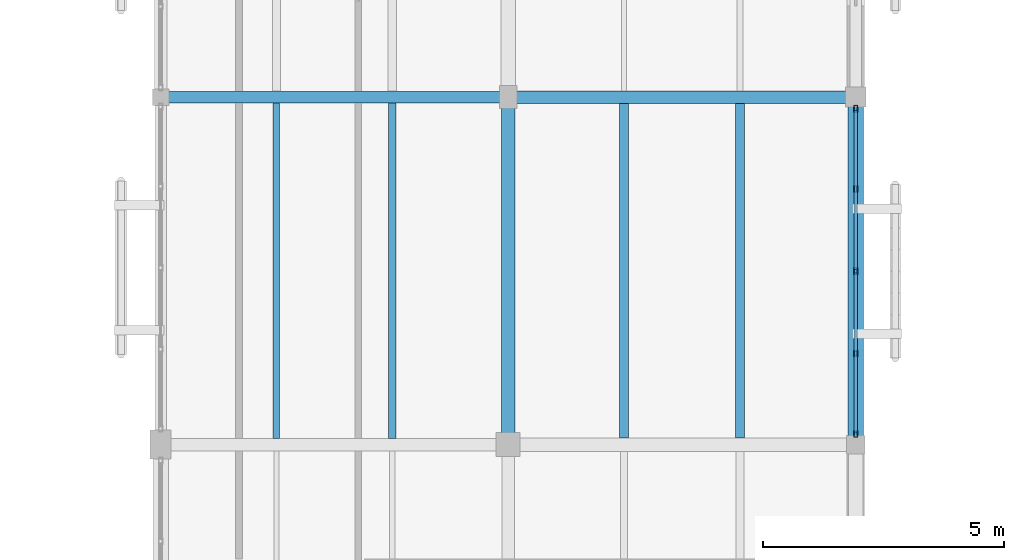
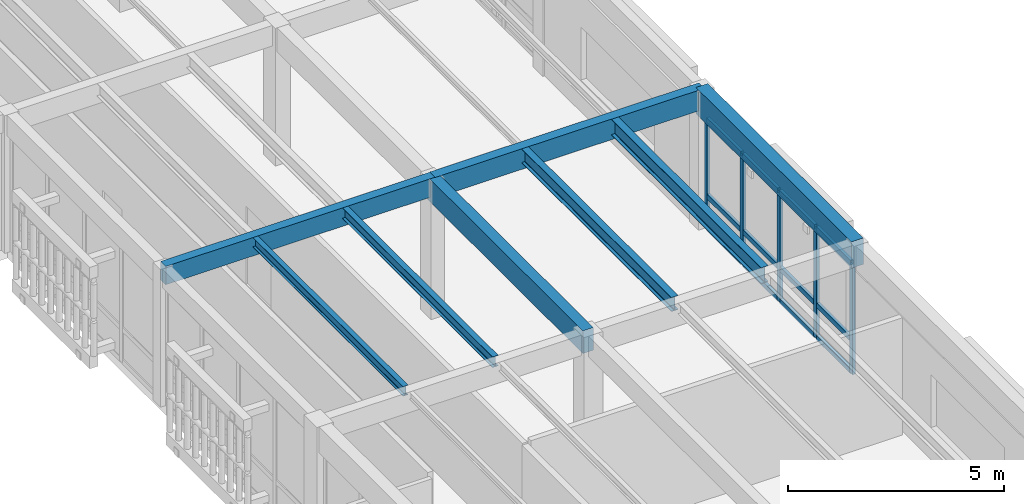
# One storey, part 38 of 217: 17 members, 8 beams, 1 element without a shape of its own.
"""IFC4 building model written with IfcOpenShell, lengths in metres."""

from ifc_helpers import new_model, si_unit, direction, frame, origin, origin_2d, place, context, subcontext, project, spatial, rectangle, hollow_rectangle, i_section, extrude, material, layer, layer_set, material_profile, profile_set, type_object, element, aggregate, save


model = new_model("IFC4")

# Units and contexts
model_context = context("Model", 3, precision=1e-05, world=origin(), true_north=direction((0.0, 1.0)))
body_context = subcontext(model_context, "Body", "Model", "MODEL_VIEW")
ifc_project = project(units=[si_unit("LENGTHUNIT", "METRE"), si_unit("AREAUNIT", "SQUARE_METRE"), si_unit("VOLUMEUNIT", "CUBIC_METRE"), si_unit("PLANEANGLEUNIT", "RADIAN"), si_unit("MASSUNIT", "GRAM", prefix="KILO")], contexts=[model_context])

# Site, building, storey
site_placement = place(None, origin())
site = spatial("IfcSite", under=ifc_project, at=site_placement, CompositionType="ELEMENT")
building_placement = place(site_placement, origin())
building = spatial("IfcBuilding", under=site, at=building_placement, Name="Mazaris Harbour Polytechnic", CompositionType="ELEMENT")
storey_placement = place(building_placement, frame((0.0, 0.0, 9.60009765625)))
storey = spatial("IfcBuildingStorey", under=building, at=storey_placement, Name="L02", CompositionType="ELEMENT", Elevation=9.60009765625)

# Curtain wall, members
ifc_material_1 = material(Name="Anodised Bronze Aluminium and Low-E Glass", Category="aluminium")
ifc_layer = layer(ifc_material_1, 0.159912109375, Name="Anodised Bronze Aluminium and Low-E Glass")
ifc_layer_set = layer_set([ifc_layer], Name="Anodised Bronze Aluminium and Low-E Glass")
curtain_wall_type = type_object("IfcCurtainWallType", Name="Cloister Court Curtain Wall", PredefinedType="NOTDEFINED", material=ifc_layer_set)
curtain_wall_placement = place(storey_placement, origin())
curtain_wall = element("IfcCurtainWall", 1, at=curtain_wall_placement, inside=storey, type_object=curtain_wall_type, Name="V4 L02 Curtain Wall 130", PredefinedType="NOTDEFINED")
ifc_material_2 = material(Name="Anodised Bronze Steel S355", Category="steel")
ifc_material_profile_1 = material_profile(ifc_material_2, hollow_rectangle(XDim=0.080078125, YDim=0.139892578125, WallThickness=0.00634765625, at=origin_2d()), Name="RHS 80x140x6.3")
ifc_profile_set_1 = profile_set([ifc_material_profile_1], Name="Anodised Bronze Steel S355")
member_type_1 = type_object("IfcMemberType", Name="Curtain Mullion RHS80x140", PredefinedType="MULLION", material=ifc_profile_set_1)
member_1_placement = place(storey_placement, frame((43.199951171875, 60.9580078125, 0.0), z_axis=(0.0, 0.0, 1.0), x_axis=(1.0, 0.0, 0.0)))
member_1 = element("IfcMember", 2, at=member_1_placement, type_object=member_type_1, Name="CW-02 mullion 1", PredefinedType="MULLION", context=body_context, shape_type="SweptSolid", body=[
    extrude(hollow_rectangle(XDim=0.080078125, YDim=0.139892578125, WallThickness=0.00634765625, at=origin_2d()), origin(), (0.0, 0.0, 1.0), 3.139892578125),
])
member_2_placement = place(storey_placement, frame((43.199951171875, 59.2939453125, 0.0), z_axis=(0.0, 0.0, 1.0), x_axis=(1.0, 0.0, 0.0)))
member_2 = element("IfcMember", 3, at=member_2_placement, type_object=member_type_1, Name="CW-02 mullion 2", PredefinedType="MULLION", context=body_context, shape_type="SweptSolid", body=[
    extrude(hollow_rectangle(XDim=0.080078125, YDim=0.139892578125, WallThickness=0.00634765625, at=origin_2d()), origin(), (0.0, 0.0, 1.0), 3.139892578125),
])
member_3_placement = place(storey_placement, frame((43.199951171875, 57.590087890625, 0.0), z_axis=(0.0, 0.0, 1.0), x_axis=(1.0, 0.0, 0.0)))
member_3 = element("IfcMember", 4, at=member_3_placement, type_object=member_type_1, Name="CW-02 mullion 3", PredefinedType="MULLION", context=body_context, shape_type="SweptSolid", body=[
    extrude(hollow_rectangle(XDim=0.080078125, YDim=0.139892578125, WallThickness=0.00634765625, at=origin_2d()), origin(), (0.0, 0.0, 1.0), 3.139892578125),
])
member_4_placement = place(storey_placement, frame((43.199951171875, 55.885986328125, 0.0), z_axis=(0.0, 0.0, 1.0), x_axis=(1.0, 0.0, 0.0)))
member_4 = element("IfcMember", 5, at=member_4_placement, type_object=member_type_1, Name="CW-02 mullion 4", PredefinedType="MULLION", context=body_context, shape_type="SweptSolid", body=[
    extrude(hollow_rectangle(XDim=0.080078125, YDim=0.139892578125, WallThickness=0.00634765625, at=origin_2d()), origin(), (0.0, 0.0, 1.0), 3.139892578125),
])
member_5_placement = place(storey_placement, frame((43.199951171875, 54.221923828125, 0.0), z_axis=(0.0, 0.0, 1.0), x_axis=(1.0, 0.0, 0.0)))
member_5 = element("IfcMember", 6, at=member_5_placement, type_object=member_type_1, Name="CW-02 mullion 5", PredefinedType="MULLION", context=body_context, shape_type="SweptSolid", body=[
    extrude(hollow_rectangle(XDim=0.080078125, YDim=0.139892578125, WallThickness=0.00634765625, at=origin_2d()), origin(), (0.0, 0.0, 1.0), 3.139892578125),
])
ifc_material_3 = material(Name="Anodised Bronze Steel S355", Category="steel")
ifc_material_profile_2 = material_profile(ifc_material_3, hollow_rectangle(XDim=0.080078125, YDim=0.139892578125, WallThickness=0.00634765625, at=origin_2d()), Name="RHS 80x140x6.3")
ifc_profile_set_2 = profile_set([ifc_material_profile_2], Name="Anodised Bronze Steel S355")
member_type_2 = type_object("IfcMemberType", Name="Curtain Transom RHS80x140", PredefinedType="USERDEFINED", material=ifc_profile_set_2)
member_6_placement = place(storey_placement, frame((43.199951171875, 60.91796875, 0.039794921875), z_axis=(0.0, -1.0, 0.0), x_axis=(1.0, 0.0, 0.0)))
member_6 = element("IfcMember", 7, at=member_6_placement, type_object=member_type_2, Name="CW-02 transom 1.1", ObjectType="TRANSOM", PredefinedType="USERDEFINED", context=body_context, shape_type="SweptSolid", body=[
    extrude(hollow_rectangle(XDim=0.080078125, YDim=0.139892578125, WallThickness=0.00634765625, at=origin_2d()), origin(), (0.0, 0.0, 1.0), 1.583984375),
])
member_7_placement = place(storey_placement, frame((43.199951171875, 60.91796875, 0.949951171875), z_axis=(0.0, -1.0, 0.0), x_axis=(1.0, 0.0, 0.0)))
member_7 = element("IfcMember", 8, at=member_7_placement, type_object=member_type_2, Name="CW-02 transom 1.2", ObjectType="TRANSOM", PredefinedType="USERDEFINED", context=body_context, shape_type="SweptSolid", body=[
    extrude(hollow_rectangle(XDim=0.080078125, YDim=0.139892578125, WallThickness=0.00634765625, at=origin_2d()), origin(), (0.0, 0.0, 1.0), 1.583984375),
])
member_8_placement = place(storey_placement, frame((43.199951171875, 60.91796875, 3.099853515625), z_axis=(0.0, -1.0, 0.0), x_axis=(1.0, 0.0, 0.0)))
member_8 = element("IfcMember", 9, at=member_8_placement, type_object=member_type_2, Name="CW-02 transom 1.3", ObjectType="TRANSOM", PredefinedType="USERDEFINED", context=body_context, shape_type="SweptSolid", body=[
    extrude(hollow_rectangle(XDim=0.080078125, YDim=0.139892578125, WallThickness=0.00634765625, at=origin_2d()), origin(), (0.0, 0.0, 1.0), 1.583984375),
])
member_9_placement = place(storey_placement, frame((43.199951171875, 59.25390625, 0.039794921875), z_axis=(0.0, -1.0, 0.0), x_axis=(1.0, 0.0, 0.0)))
member_9 = element("IfcMember", 10, at=member_9_placement, type_object=member_type_2, Name="CW-02 transom 2.1", ObjectType="TRANSOM", PredefinedType="USERDEFINED", context=body_context, shape_type="SweptSolid", body=[
    extrude(hollow_rectangle(XDim=0.080078125, YDim=0.139892578125, WallThickness=0.00634765625, at=origin_2d()), origin(), (0.0, 0.0, 1.0), 1.6240234375),
])
member_10_placement = place(storey_placement, frame((43.199951171875, 59.25390625, 0.949951171875), z_axis=(0.0, -1.0, 0.0), x_axis=(1.0, 0.0, 0.0)))
member_10 = element("IfcMember", 11, at=member_10_placement, type_object=member_type_2, Name="CW-02 transom 2.2", ObjectType="TRANSOM", PredefinedType="USERDEFINED", context=body_context, shape_type="SweptSolid", body=[
    extrude(hollow_rectangle(XDim=0.080078125, YDim=0.139892578125, WallThickness=0.00634765625, at=origin_2d()), origin(), (0.0, 0.0, 1.0), 1.6240234375),
])
member_11_placement = place(storey_placement, frame((43.199951171875, 59.25390625, 3.099853515625), z_axis=(0.0, -1.0, 0.0), x_axis=(1.0, 0.0, 0.0)))
member_11 = element("IfcMember", 12, at=member_11_placement, type_object=member_type_2, Name="CW-02 transom 2.3", ObjectType="TRANSOM", PredefinedType="USERDEFINED", context=body_context, shape_type="SweptSolid", body=[
    extrude(hollow_rectangle(XDim=0.080078125, YDim=0.139892578125, WallThickness=0.00634765625, at=origin_2d()), origin(), (0.0, 0.0, 1.0), 1.6240234375),
])
member_12_placement = place(storey_placement, frame((43.199951171875, 57.550048828125, 0.039794921875), z_axis=(0.0, -1.0, 0.0), x_axis=(1.0, 0.0, 0.0)))
member_12 = element("IfcMember", 13, at=member_12_placement, type_object=member_type_2, Name="CW-02 transom 3.1", ObjectType="TRANSOM", PredefinedType="USERDEFINED", context=body_context, shape_type="SweptSolid", body=[
    extrude(hollow_rectangle(XDim=0.080078125, YDim=0.139892578125, WallThickness=0.00634765625, at=origin_2d()), origin(), (0.0, 0.0, 1.0), 1.6240234375),
])
member_13_placement = place(storey_placement, frame((43.199951171875, 57.550048828125, 0.949951171875), z_axis=(0.0, -1.0, 0.0), x_axis=(1.0, 0.0, 0.0)))
member_13 = element("IfcMember", 14, at=member_13_placement, type_object=member_type_2, Name="CW-02 transom 3.2", ObjectType="TRANSOM", PredefinedType="USERDEFINED", context=body_context, shape_type="SweptSolid", body=[
    extrude(hollow_rectangle(XDim=0.080078125, YDim=0.139892578125, WallThickness=0.00634765625, at=origin_2d()), origin(), (0.0, 0.0, 1.0), 1.6240234375),
])
member_14_placement = place(storey_placement, frame((43.199951171875, 57.550048828125, 3.099853515625), z_axis=(0.0, -1.0, 0.0), x_axis=(1.0, 0.0, 0.0)))
member_14 = element("IfcMember", 15, at=member_14_placement, type_object=member_type_2, Name="CW-02 transom 3.3", ObjectType="TRANSOM", PredefinedType="USERDEFINED", context=body_context, shape_type="SweptSolid", body=[
    extrude(hollow_rectangle(XDim=0.080078125, YDim=0.139892578125, WallThickness=0.00634765625, at=origin_2d()), origin(), (0.0, 0.0, 1.0), 1.6240234375),
])
member_15_placement = place(storey_placement, frame((43.199951171875, 55.845947265625, 0.039794921875), z_axis=(0.0, -1.0, 0.0), x_axis=(1.0, 0.0, 0.0)))
member_15 = element("IfcMember", 16, at=member_15_placement, type_object=member_type_2, Name="CW-02 transom 4.1", ObjectType="TRANSOM", PredefinedType="USERDEFINED", context=body_context, shape_type="SweptSolid", body=[
    extrude(hollow_rectangle(XDim=0.080078125, YDim=0.139892578125, WallThickness=0.00634765625, at=origin_2d()), origin(), (0.0, 0.0, 1.0), 1.583984375),
])
member_16_placement = place(storey_placement, frame((43.199951171875, 55.845947265625, 0.949951171875), z_axis=(0.0, -1.0, 0.0), x_axis=(1.0, 0.0, 0.0)))
member_16 = element("IfcMember", 17, at=member_16_placement, type_object=member_type_2, Name="CW-02 transom 4.2", ObjectType="TRANSOM", PredefinedType="USERDEFINED", context=body_context, shape_type="SweptSolid", body=[
    extrude(hollow_rectangle(XDim=0.080078125, YDim=0.139892578125, WallThickness=0.00634765625, at=origin_2d()), origin(), (0.0, 0.0, 1.0), 1.583984375),
])
member_17_placement = place(storey_placement, frame((43.199951171875, 55.845947265625, 3.099853515625), z_axis=(0.0, -1.0, 0.0), x_axis=(1.0, 0.0, 0.0)))
member_17 = element("IfcMember", 18, at=member_17_placement, type_object=member_type_2, Name="CW-02 transom 4.3", ObjectType="TRANSOM", PredefinedType="USERDEFINED", context=body_context, shape_type="SweptSolid", body=[
    extrude(hollow_rectangle(XDim=0.080078125, YDim=0.139892578125, WallThickness=0.00634765625, at=origin_2d()), origin(), (0.0, 0.0, 1.0), 1.583984375),
])
aggregate(curtain_wall, [member_1, member_2, member_3, member_4, member_5, member_6, member_7, member_8, member_9, member_10, member_11, member_12, member_13, member_14, member_15, member_16, member_17])

# Beams
ifc_material_4 = material(Name="Glulam GL32h", Category="wood")
ifc_material_profile_3 = material_profile(ifc_material_4, rectangle(XDim=0.239990234375, YDim=0.52001953125, at=origin_2d()), Name="RECT240x520")
ifc_profile_set_3 = profile_set([ifc_material_profile_3], Name="Glulam GL32h")
beam_type_1 = type_object("IfcBeamType", Name="Glulam Girder 240x520", PredefinedType="BEAM", material=ifc_profile_set_3)
beam_1_placement = place(storey_placement, frame((28.800048828125, 61.199951171875, 3.6298828125), z_axis=(1.0, 0.0, 0.0), x_axis=(0.0, 1.0, 0.0)))
element("IfcBeam", 19, at=beam_1_placement, inside=storey, type_object=beam_type_1, Name="V4 L02 Girder 1935", PredefinedType="BEAM", context=body_context, shape_type="SweptSolid", body=[
    extrude(rectangle(XDim=0.239990234375, YDim=0.52001953125, at=origin_2d()), origin(), (0.0, 0.0, 1.0), 7.199951171875),
])
ifc_material_5 = material(Name="Glulam GL32h", Category="wood")
ifc_material_profile_4 = material_profile(ifc_material_5, rectangle(XDim=0.260009765625, YDim=0.580078125, at=origin_2d()), Name="RECT260x580")
ifc_profile_set_4 = profile_set([ifc_material_profile_4], Name="Glulam GL32h")
beam_type_2 = type_object("IfcBeamType", Name="Glulam Girder 260x580", PredefinedType="BEAM", material=ifc_profile_set_4)
beam_2_placement = place(storey_placement, frame((36.0, 61.199951171875, 3.599853515625), z_axis=(1.0, 0.0, 0.0), x_axis=(0.0, 1.0, 0.0)))
element("IfcBeam", 20, at=beam_2_placement, inside=storey, type_object=beam_type_2, Name="V4 L02 Girder 1936", PredefinedType="BEAM", context=body_context, shape_type="SweptSolid", body=[
    extrude(rectangle(XDim=0.260009765625, YDim=0.580078125, at=origin_2d()), origin(), (0.0, 0.0, 1.0), 7.199951171875),
])
ifc_material_6 = material(Name="Glulam GL32h", Category="wood")
ifc_material_profile_5 = material_profile(ifc_material_6, rectangle(XDim=0.280029296875, YDim=0.639892578125, at=origin_2d()), Name="RECT280x640")
ifc_profile_set_5 = profile_set([ifc_material_profile_5], Name="Glulam GL32h")
beam_type_3 = type_object("IfcBeamType", Name="Glulam Girder 280x640", PredefinedType="BEAM", material=ifc_profile_set_5)
beam_3_placement = place(storey_placement, frame((36.0, 54.0, 3.56982421875), z_axis=(0.0, 1.0, 0.0), x_axis=(-1.0, 0.0, 0.0)))
element("IfcBeam", 21, at=beam_3_placement, inside=storey, type_object=beam_type_3, Name="V4 L02 Tie Girder 2027", PredefinedType="BEAM", context=body_context, shape_type="SweptSolid", body=[
    extrude(rectangle(XDim=0.280029296875, YDim=0.639892578125, at=origin_2d()), origin(), (0.0, 0.0, 1.0), 7.199951171875),
])
ifc_material_7 = material(Name="Glulam GL32h", Category="wood")
ifc_material_profile_6 = material_profile(ifc_material_7, rectangle(XDim=0.320068359375, YDim=0.739990234375, at=origin_2d()), Name="RECT320x740")
ifc_profile_set_6 = profile_set([ifc_material_profile_6], Name="Glulam GL32h")
beam_type_4 = type_object("IfcBeamType", Name="Glulam Girder 320x740 Exterior", PredefinedType="BEAM", material=ifc_profile_set_6)
beam_4_placement = place(storey_placement, frame((43.199951171875, 54.0, 3.52001953125), z_axis=(0.0, 1.0, 0.0), x_axis=(-1.0, 0.0, 0.0)))
element("IfcBeam", 22, at=beam_4_placement, inside=storey, type_object=beam_type_4, Name="V4 L02 Tie Girder 2039", PredefinedType="BEAM", context=body_context, shape_type="SweptSolid", body=[
    extrude(rectangle(XDim=0.320068359375, YDim=0.739990234375, at=origin_2d()), origin(), (0.0, 0.0, 1.0), 7.199951171875),
])
ifc_material_8 = material(Name="Steel S355", Category="steel")
ifc_material_profile_7 = material_profile(ifc_material_8, i_section(OverallWidth=0.135009765625, OverallDepth=0.27001953125, WebThickness=0.006591796875, FlangeThickness=0.01025390625, FilletRadius=0.014892578125, at=origin_2d()), Name="IPE 270")
ifc_profile_set_7 = profile_set([ifc_material_profile_7], Name="Steel S355")
beam_type_5 = type_object("IfcBeamType", Name="Steel Joist IPE270", PredefinedType="JOIST", material=ifc_profile_set_7)
beam_5_placement = place(storey_placement, frame((31.199951171875, 54.1298828125, 3.7548828125), z_axis=(0.0, 1.0, 0.0), x_axis=(-1.0, 0.0, 0.0)))
element("IfcBeam", 23, at=beam_5_placement, inside=storey, type_object=beam_type_5, Name="V4 L02 Floor Joist 2130", PredefinedType="JOIST", context=body_context, shape_type="SweptSolid", body=[
    extrude(i_section(OverallWidth=0.135009765625, OverallDepth=0.27001953125, WebThickness=0.006591796875, FlangeThickness=0.01025390625, FilletRadius=0.014892578125, at=origin_2d()), origin(), (0.0, 0.0, 1.0), 6.9501953125),
])
ifc_material_9 = material(Name="Steel S355", Category="steel")
ifc_material_profile_8 = material_profile(ifc_material_9, i_section(OverallWidth=0.14990234375, OverallDepth=0.300048828125, WebThickness=0.007080078125, FlangeThickness=0.0107421875, FilletRadius=0.014892578125, at=origin_2d()), Name="IPE 300")
ifc_profile_set_8 = profile_set([ifc_material_profile_8], Name="Steel S355")
beam_type_6 = type_object("IfcBeamType", Name="Steel Joist IPE300", PredefinedType="JOIST", material=ifc_profile_set_8)
beam_6_placement = place(storey_placement, frame((33.60009765625, 54.1298828125, 3.739990234375), z_axis=(0.0, 1.0, 0.0), x_axis=(-1.0, 0.0, 0.0)))
element("IfcBeam", 24, at=beam_6_placement, inside=storey, type_object=beam_type_6, Name="V4 L02 Floor Joist 2131", PredefinedType="JOIST", context=body_context, shape_type="SweptSolid", body=[
    extrude(i_section(OverallWidth=0.14990234375, OverallDepth=0.300048828125, WebThickness=0.007080078125, FlangeThickness=0.0107421875, FilletRadius=0.014892578125, at=origin_2d()), origin(), (0.0, 0.0, 1.0), 6.9501953125),
])
ifc_material_10 = material(Name="Steel S355", Category="steel")
ifc_material_profile_9 = material_profile(ifc_material_10, i_section(OverallWidth=0.179931640625, OverallDepth=0.39990234375, WebThickness=0.008544921875, FlangeThickness=0.013427734375, FilletRadius=0.02099609375, at=origin_2d()), Name="IPE 400")
ifc_profile_set_9 = profile_set([ifc_material_profile_9], Name="Steel S355")
beam_type_7 = type_object("IfcBeamType", Name="Steel Joist IPE400", PredefinedType="JOIST", material=ifc_profile_set_9)
beam_7_placement = place(storey_placement, frame((38.39990234375, 54.139892578125, 3.68994140625), z_axis=(0.0, 1.0, 0.0), x_axis=(-1.0, 0.0, 0.0)))
element("IfcBeam", 25, at=beam_7_placement, inside=storey, type_object=beam_type_7, Name="V4 L02 Floor Joist 2154", PredefinedType="JOIST", context=body_context, shape_type="SweptSolid", body=[
    extrude(i_section(OverallWidth=0.179931640625, OverallDepth=0.39990234375, WebThickness=0.008544921875, FlangeThickness=0.013427734375, FilletRadius=0.02099609375, at=origin_2d()), origin(), (0.0, 0.0, 1.0), 6.93017578125),
])
ifc_material_11 = material(Name="Steel S355", Category="steel")
ifc_material_profile_10 = material_profile(ifc_material_11, i_section(OverallWidth=0.18994140625, OverallDepth=0.449951171875, WebThickness=0.009521484375, FlangeThickness=0.0146484375, FilletRadius=0.02099609375, at=origin_2d()), Name="IPE 450")
ifc_profile_set_10 = profile_set([ifc_material_profile_10], Name="Steel S355")
beam_type_8 = type_object("IfcBeamType", Name="Steel Joist IPE450", PredefinedType="JOIST", material=ifc_profile_set_10)
beam_8_placement = place(storey_placement, frame((40.800048828125, 54.139892578125, 3.664794921875), z_axis=(0.0, 1.0, 0.0), x_axis=(-1.0, 0.0, 0.0)))
element("IfcBeam", 26, at=beam_8_placement, inside=storey, type_object=beam_type_8, Name="V4 L02 Floor Joist 2155", PredefinedType="JOIST", context=body_context, shape_type="SweptSolid", body=[
    extrude(i_section(OverallWidth=0.18994140625, OverallDepth=0.449951171875, WebThickness=0.009521484375, FlangeThickness=0.0146484375, FilletRadius=0.02099609375, at=origin_2d()), origin(), (0.0, 0.0, 1.0), 6.93017578125),
])

save(model, "model.ifc")
